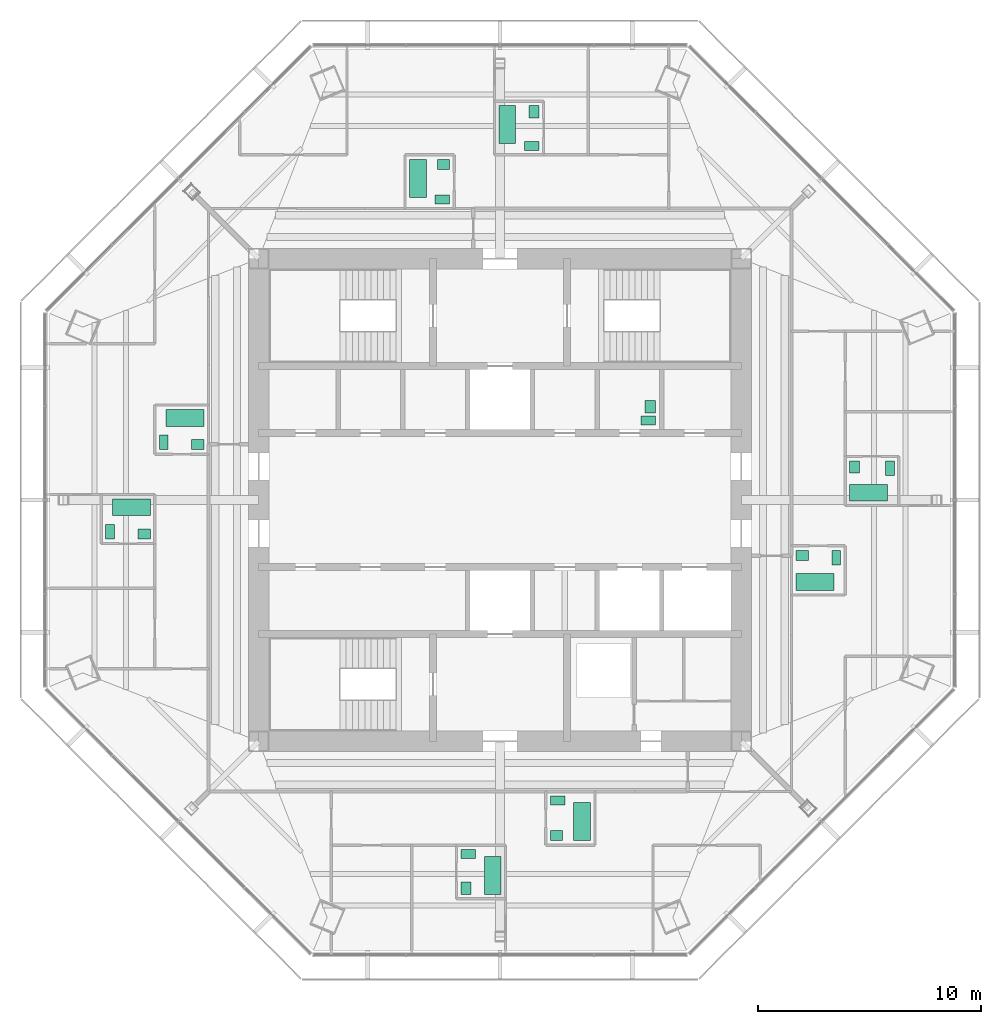
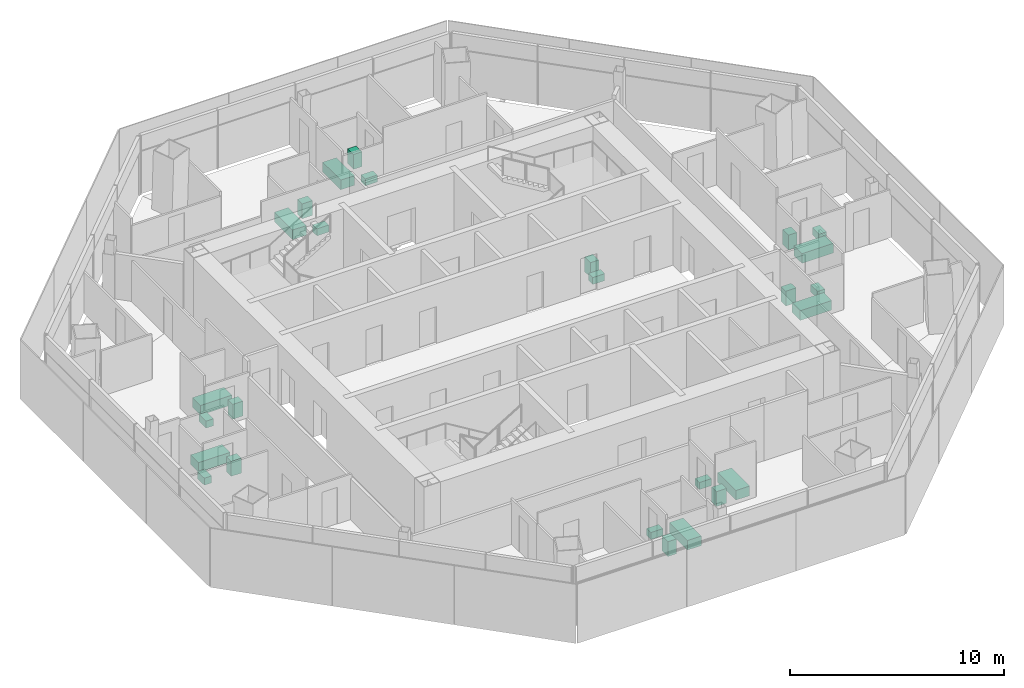
# One storey, part 15 of 15: 26 sanitary terminals.
"""IFC4 building model written with IfcOpenShell, lengths in metres."""

from ifc_helpers import new_model, si_unit, direction, frame, origin, origin_2d, place, context, subcontext, project, spatial, rectangle, extrude, material, type_object, element, save


model = new_model("IFC4")

# Units and contexts
model_context = context("Model", 3, precision=1e-05, world=origin(), true_north=direction((0.0, 1.0)))
body_context = subcontext(model_context, "Body", "Model", "MODEL_VIEW")
ifc_project = project(units=[si_unit("LENGTHUNIT", "METRE"), si_unit("AREAUNIT", "SQUARE_METRE"), si_unit("VOLUMEUNIT", "CUBIC_METRE"), si_unit("PLANEANGLEUNIT", "RADIAN"), si_unit("MASSUNIT", "GRAM", prefix="KILO")], contexts=[model_context])

# Site, building, storey
site_placement = place(None, origin())
site = spatial("IfcSite", under=ifc_project, at=site_placement, CompositionType="ELEMENT")
building_placement = place(site_placement, origin())
building = spatial("IfcBuilding", under=site, at=building_placement, Name="Mashrafa Tower", CompositionType="ELEMENT")
storey_placement = place(building_placement, frame((0.0, 0.0, 270.800048828125)))
storey = spatial("IfcBuildingStorey", under=building, at=storey_placement, Name="L65", CompositionType="ELEMENT", Elevation=270.800048828125)

# Sanitary terminals
ifc_material_1 = material(Name="Enamelled steel", Category="steel")
sanitary_terminal_type_1 = type_object("IfcSanitaryTerminalType", Name="Bath 1700 x 750", PredefinedType="BATH", material=ifc_material_1)
for number, where, z_axis, x_axis, name in (
    (1, (14.10009765625, -3.675048828125, 0.0), (0.0, 0.0, 1.0), (1.0, 0.0, 0.0), "Bath Apartment 6501 Bathroom"),
    (2, (16.5, 0.324951171875, 0.0), (0.0, 0.0, 1.0), (1.0, 0.0, 0.0), "Bath Apartment 6501 En-suite Bathroom"),
    (3, (-3.675048828125, 14.39990234375, 0.0), (0.0, 0.0, 1.0), (0.0, -1.0, 0.0), "Bath Apartment 6502 Bathroom"),
    (4, (0.324951171875, 16.800048828125, 0.0), (0.0, 0.0, 1.0), (0.0, -1.0, 0.0), "Bath Apartment 6502 En-suite Bathroom"),
    (5, (-14.10009765625, 3.675048828125, 0.0), (0.0, 0.0, 1.0), (-1.0, 0.0, 0.0), "Bath Apartment 6503 Bathroom"),
    (6, (-16.5, -0.324951171875, 0.0), (0.0, 0.0, 1.0), (-1.0, 0.0, 0.0), "Bath Apartment 6503 En-suite Bathroom"),
    (7, (3.675048828125, -14.39990234375, 0.0), (0.0, 0.0, 1.0), (0.0, 1.0, 0.0), "Bath Apartment 6504 Bathroom"),
    (8, (-0.324951171875, -16.800048828125, 0.0), (0.0, 0.0, 1.0), (0.0, 1.0, 0.0), "Bath Apartment 6504 En-suite Bathroom"),
):
    element("IfcSanitaryTerminal", number, at=place(storey_placement, frame(where, z_axis=z_axis, x_axis=x_axis)), inside=storey, type_object=sanitary_terminal_type_1, Name=name, PredefinedType="BATH", context=body_context, shape_type="SweptSolid", body=[
        extrude(rectangle(XDim=1.699951171875, YDim=0.75, at=origin_2d()), origin(), (0.0, 0.0, 1.0), 0.550048828125),
    ])
ifc_material_2 = material(Name="Vitreous china")
sanitary_terminal_type_2 = type_object("IfcSanitaryTerminalType", Name="Toilet pan 400 x 650", PredefinedType="TOILETPAN", material=ifc_material_2)
for number, where, z_axis, x_axis, name in (
    (9, (6.625, 3.550048828125, 0.0), (0.0, 0.0, 1.0), (0.0, 1.0, 0.0), "Toilet pan Staff WC L65"),
    (10, (15.050048828125, -2.574951171875, 0.0), (0.0, 0.0, 1.0), (-1.0, 0.0, 0.0), "Toilet pan Apartment 6501 Bathroom"),
    (11, (17.449951171875, 1.425048828125, 0.0), (0.0, 0.0, 1.0), (-1.0, 0.0, 0.0), "Toilet pan Apartment 6501 En-suite Bathroom"),
    (12, (-2.574951171875, 13.449951171875, 0.0), (0.0, 0.0, 1.0), (0.0, 1.0, 0.0), "Toilet pan Apartment 6502 Bathroom"),
    (13, (1.425048828125, 15.85009765625, 0.0), (0.0, 0.0, 1.0), (0.0, 1.0, 0.0), "Toilet pan Apartment 6502 En-suite Bathroom"),
    (14, (-15.050048828125, 2.574951171875, 0.0), (0.0, 0.0, 1.0), (1.0, 0.0, 0.0), "Toilet pan Apartment 6503 Bathroom"),
    (15, (-17.449951171875, -1.425048828125, 0.0), (0.0, 0.0, 1.0), (1.0, 0.0, 0.0), "Toilet pan Apartment 6503 En-suite Bathroom"),
    (16, (2.574951171875, -13.449951171875, 0.0), (0.0, 0.0, 1.0), (0.0, -1.0, 0.0), "Toilet pan Apartment 6504 Bathroom"),
    (17, (-1.425048828125, -15.85009765625, 0.0), (0.0, 0.0, 1.0), (0.0, -1.0, 0.0), "Toilet pan Apartment 6504 En-suite Bathroom"),
):
    element("IfcSanitaryTerminal", number, at=place(storey_placement, frame(where, z_axis=z_axis, x_axis=x_axis)), inside=storey, type_object=sanitary_terminal_type_2, Name=name, PredefinedType="TOILETPAN", context=body_context, shape_type="SweptSolid", body=[
        extrude(rectangle(XDim=0.39990234375, YDim=0.64990234375, at=origin_2d()), origin(), (0.0, 0.0, 1.0), 0.39990234375),
    ])
ifc_material_3 = material(Name="Vitreous china")
sanitary_terminal_type_3 = type_object("IfcSanitaryTerminalType", Name="Wash basin 550 x 450", PredefinedType="WASHHANDBASIN", material=ifc_material_3)
for number, where, z_axis, x_axis, name in (
    (18, (6.72509765625, 4.175048828125, 0.0), (0.0, 0.0, 1.0), (0.0, 1.0, 0.0), "Wash basin Staff WC L65"),
    (19, (13.52490234375, -2.47509765625, 0.0), (0.0, 0.0, 1.0), (-1.0, 0.0, 0.0), "Wash basin Apartment 6501 Bathroom"),
    (20, (15.875, 1.47509765625, 0.0), (0.0, 0.0, 1.0), (0.0, -1.0, 0.0), "Wash basin Apartment 6501 En-suite Bathroom"),
    (21, (-2.52490234375, 15.02490234375, 0.0), (0.0, 0.0, 1.0), (-1.0, 0.0, 0.0), "Wash basin Apartment 6502 Bathroom"),
    (22, (1.52490234375, 17.375, 0.0), (0.0, 0.0, 1.0), (0.0, 1.0, 0.0), "Wash basin Apartment 6502 En-suite Bathroom"),
    (23, (-13.52490234375, 2.47509765625, 0.0), (0.0, 0.0, 1.0), (1.0, 0.0, 0.0), "Wash basin Apartment 6503 Bathroom"),
    (24, (-15.925048828125, -1.52490234375, 0.0), (0.0, 0.0, 1.0), (1.0, 0.0, 0.0), "Wash basin Apartment 6503 En-suite Bathroom"),
    (25, (2.52490234375, -15.02490234375, 0.0), (0.0, 0.0, 1.0), (1.0, 0.0, 0.0), "Wash basin Apartment 6504 Bathroom"),
    (26, (-1.52490234375, -17.375, 0.0), (0.0, 0.0, 1.0), (0.0, -1.0, 0.0), "Wash basin Apartment 6504 En-suite Bathroom"),
):
    element("IfcSanitaryTerminal", number, at=place(storey_placement, frame(where, z_axis=z_axis, x_axis=x_axis)), inside=storey, type_object=sanitary_terminal_type_3, Name=name, PredefinedType="WASHHANDBASIN", context=body_context, shape_type="SweptSolid", body=[
        extrude(rectangle(XDim=0.550048828125, YDim=0.449951171875, at=origin_2d()), origin(), (0.0, 0.0, 1.0), 0.85009765625),
    ])

save(model, "model.ifc")
